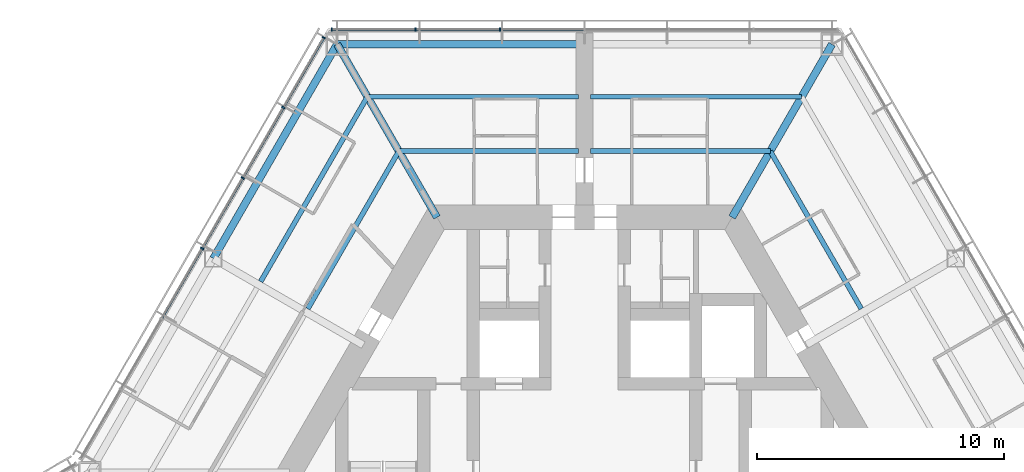
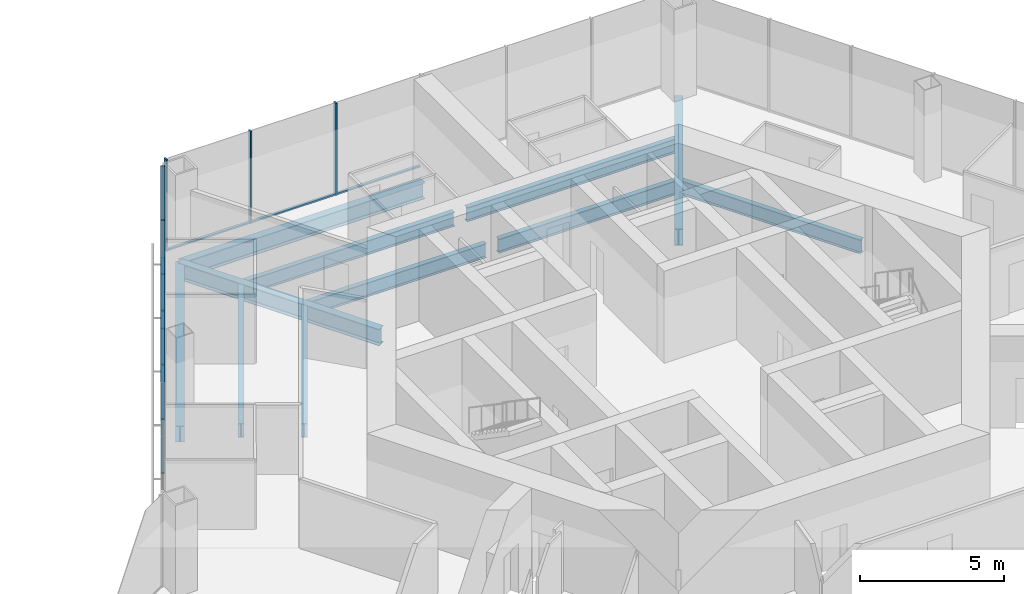
# One storey, part 7 of 18: 14 members, 11 beams, 2 elements without a shape of their own.
"""IFC4 building model written with IfcOpenShell, lengths in metres."""

from ifc_helpers import new_model, si_unit, direction, frame, origin, origin_2d, place, context, subcontext, project, spatial, rectangle, i_section, extrude, material, material_profile, profile_set, type_object, element, aggregate, save


model = new_model("IFC4")

# Units and contexts
model_context = context("Model", 3, precision=1e-05, world=origin(), true_north=direction((0.0, 1.0)))
body_context = subcontext(model_context, "Body", "Model", "MODEL_VIEW")
ifc_project = project(units=[si_unit("LENGTHUNIT", "METRE"), si_unit("AREAUNIT", "SQUARE_METRE"), si_unit("VOLUMEUNIT", "CUBIC_METRE"), si_unit("PLANEANGLEUNIT", "RADIAN"), si_unit("MASSUNIT", "GRAM", prefix="KILO")], contexts=[model_context])

# Site, building, storey
site_placement = place(None, origin())
site = spatial("IfcSite", under=ifc_project, at=site_placement, CompositionType="ELEMENT")
building_placement = place(site_placement, origin())
building = spatial("IfcBuilding", under=site, at=building_placement, Name="Kasaneha Research Tower", CompositionType="ELEMENT")
storey_placement = place(building_placement, frame((0.0, 0.0, 133.10009765625)))
storey = spatial("IfcBuildingStorey", under=building, at=storey_placement, Name="L33", CompositionType="ELEMENT", Elevation=133.10009765625)

# Beams
ifc_material_1 = material(Name="Steel SN490B", Category="steel")
ifc_material_profile_1 = material_profile(ifc_material_1, i_section(OverallWidth=0.199951171875, OverallDepth=0.60009765625, WebThickness=0.010986328125, FlangeThickness=0.01708984375, FilletRadius=0.012939453125, at=origin_2d()), Name="H-600x200x11x17")
ifc_profile_set_1 = profile_set([ifc_material_profile_1], Name="Steel SN490B")
beam_type_1 = type_object("IfcBeamType", Name="B1-3 secondary beam H-600x200x11x17", PredefinedType="JOIST", material=ifc_profile_set_1)
beam_1_placement = place(storey_placement, frame((7.505615234375, 13.0, -0.4501953125), z_axis=(0.499994443168, -0.866028611999, 0.0), x_axis=(0.866028611999, 0.499994443168, 0.0)))
element("IfcBeam", 1, at=beam_1_placement, inside=storey, type_object=beam_type_1, Name="Secondary beam RS030R1 L33", PredefinedType="JOIST", context=body_context, shape_type="SweptSolid", body=[
    extrude(i_section(OverallWidth=0.199951171875, OverallDepth=0.60009765625, WebThickness=0.010986328125, FlangeThickness=0.01708984375, FilletRadius=0.012939453125, at=origin_2d()), origin(), (0.0, 0.0, 1.0), 7.35546875),
])
beam_2_placement = place(storey_placement, frame((7.505615234375, 13.0, -0.4501953125), z_axis=(-1.0, 0.0, 0.0), x_axis=(0.0, -1.0, 0.0)))
element("IfcBeam", 2, at=beam_2_placement, inside=storey, type_object=beam_type_1, Name="Secondary beam RS090L1 L33", PredefinedType="JOIST", context=body_context, shape_type="SweptSolid", body=[
    extrude(i_section(OverallWidth=0.199951171875, OverallDepth=0.60009765625, WebThickness=0.010986328125, FlangeThickness=0.01708984375, FilletRadius=0.012939453125, at=origin_2d()), origin(), (0.0, 0.0, 1.0), 7.255615234375),
])
beam_3_placement = place(storey_placement, frame((8.775634765625, 15.199951171875, -0.4501953125), z_axis=(-1.0, 0.0, 0.0), x_axis=(0.0, -1.0, 0.0)))
element("IfcBeam", 3, at=beam_3_placement, inside=storey, type_object=beam_type_1, Name="Secondary beam RS090L2 L33", PredefinedType="JOIST", context=body_context, shape_type="SweptSolid", body=[
    extrude(i_section(OverallWidth=0.199951171875, OverallDepth=0.60009765625, WebThickness=0.010986328125, FlangeThickness=0.01708984375, FilletRadius=0.012939453125, at=origin_2d()), origin(), (0.0, 0.0, 1.0), 8.525634765625),
])
beam_4_placement = place(storey_placement, frame((-7.505615234375, 13.0, -0.4501953125), z_axis=(1.0, 0.0, 0.0), x_axis=(0.0, 1.0, 0.0)))
element("IfcBeam", 4, at=beam_4_placement, inside=storey, type_object=beam_type_1, Name="Secondary beam RS090R1 L33", PredefinedType="JOIST", context=body_context, shape_type="SweptSolid", body=[
    extrude(i_section(OverallWidth=0.199951171875, OverallDepth=0.60009765625, WebThickness=0.010986328125, FlangeThickness=0.01708984375, FilletRadius=0.012939453125, at=origin_2d()), origin(), (0.0, 0.0, 1.0), 7.255615234375),
])
beam_5_placement = place(storey_placement, frame((-8.775634765625, 15.199951171875, -0.4501953125), z_axis=(1.0, 0.0, 0.0), x_axis=(0.0, 1.0, 0.0)))
element("IfcBeam", 5, at=beam_5_placement, inside=storey, type_object=beam_type_1, Name="Secondary beam RS090R2 L33", PredefinedType="JOIST", context=body_context, shape_type="SweptSolid", body=[
    extrude(i_section(OverallWidth=0.199951171875, OverallDepth=0.60009765625, WebThickness=0.010986328125, FlangeThickness=0.01708984375, FilletRadius=0.012939453125, at=origin_2d()), origin(), (0.0, 0.0, 1.0), 8.525634765625),
])
beam_6_placement = place(storey_placement, frame((-7.505615234375, 13.0, -0.4501953125), z_axis=(-0.499994443168, -0.866028611999, 0.0), x_axis=(0.866028611999, -0.499994443168, 0.0)))
element("IfcBeam", 6, at=beam_6_placement, inside=storey, type_object=beam_type_1, Name="Secondary beam RS150L1 L33", PredefinedType="JOIST", context=body_context, shape_type="SweptSolid", body=[
    extrude(i_section(OverallWidth=0.199951171875, OverallDepth=0.60009765625, WebThickness=0.010986328125, FlangeThickness=0.01708984375, FilletRadius=0.012939453125, at=origin_2d()), origin(), (0.0, 0.0, 1.0), 7.35546875),
])
beam_7_placement = place(storey_placement, frame((-8.775634765625, 15.199951171875, -0.4501953125), z_axis=(-0.500017275495, -0.866015429543, 0.0), x_axis=(0.866015429543, -0.500017275495, 0.0)))
element("IfcBeam", 7, at=beam_7_placement, inside=storey, type_object=beam_type_1, Name="Secondary beam RS150L2 L33", PredefinedType="JOIST", context=body_context, shape_type="SweptSolid", body=[
    extrude(i_section(OverallWidth=0.199951171875, OverallDepth=0.60009765625, WebThickness=0.010986328125, FlangeThickness=0.01708984375, FilletRadius=0.012939453125, at=origin_2d()), origin(), (0.0, 0.0, 1.0), 8.625732421875),
])

# Curtain wall, members
ifc_material_2 = material(Name="Glass and aluminium", Category="aluminium")
curtain_wall_type = type_object("IfcCurtainWallType", Name="Mid-rise office curtain wall", PredefinedType="USERDEFINED", material=ifc_material_2)
curtain_wall_1_placement = place(storey_placement, origin())
curtain_wall_1 = element("IfcCurtainWall", 8, at=curtain_wall_1_placement, inside=storey, type_object=curtain_wall_type, Name="CW-O2 L33 run 07a", ObjectType="UNITISED CURTAIN WALL", PredefinedType="USERDEFINED")
ifc_material_3 = material(Name="Aluminium 6063-T6", Category="aluminium")
ifc_material_profile_2 = material_profile(ifc_material_3, rectangle(XDim=0.06005859375, YDim=0.14990234375, at=origin_2d()), Name="CW-O2 mullion 60x150")
ifc_profile_set_2 = profile_set([ifc_material_profile_2], Name="Aluminium 6063-T6")
member_type_1 = type_object("IfcMemberType", Name="CW-O2 mullion", PredefinedType="MULLION", material=ifc_profile_set_2)
member_1_placement = place(storey_placement, frame((-3.41552734375, 17.92041015625, 0.0), z_axis=(0.0, 0.0, 1.0), x_axis=(-1.0, 0.0, 0.0)))
member_1 = element("IfcMember", 9, at=member_1_placement, type_object=member_type_1, Name="CW-O2 mullion 5", PredefinedType="MULLION", context=body_context, shape_type="SweptSolid", body=[
    extrude(rectangle(XDim=0.06005859375, YDim=0.14990234375, at=origin_2d()), origin(), (0.0, 0.0, 1.0), 3.89990234375),
])
member_2_placement = place(storey_placement, frame((-6.8310546875, 17.92041015625, 0.0), z_axis=(0.0, 0.0, 1.0), x_axis=(-1.0, 0.0, 0.0)))
member_2 = element("IfcMember", 10, at=member_2_placement, type_object=member_type_1, Name="CW-O2 mullion 6", PredefinedType="MULLION", context=body_context, shape_type="SweptSolid", body=[
    extrude(rectangle(XDim=0.06005859375, YDim=0.14990234375, at=origin_2d()), origin(), (0.0, 0.0, 1.0), 3.89990234375),
])
member_3_placement = place(storey_placement, frame((-10.21630859375, 17.92041015625, 0.0), z_axis=(0.0, 0.0, 1.0), x_axis=(-1.0, 0.0, 0.0)))
member_3 = element("IfcMember", 11, at=member_3_placement, type_object=member_type_1, Name="CW-O2 mullion 7", PredefinedType="MULLION", context=body_context, shape_type="SweptSolid", body=[
    extrude(rectangle(XDim=0.06005859375, YDim=0.14990234375, at=origin_2d()), origin(), (0.0, 0.0, 1.0), 3.89990234375),
])

curtain_wall_2_placement = place(storey_placement, origin())
curtain_wall_2 = element("IfcCurtainWall", 12, at=curtain_wall_2_placement, inside=storey, type_object=curtain_wall_type, Name="CW-O2 L33 run 08a", ObjectType="UNITISED CURTAIN WALL", PredefinedType="USERDEFINED")
member_4_placement = place(storey_placement, frame((-10.5400390625, 17.585205078125, 0.0), z_axis=(0.0, 0.0, 1.0), x_axis=(-0.499999979232, -0.866025415775, 0.0)))
member_4 = element("IfcMember", 13, at=member_4_placement, type_object=member_type_1, Name="CW-O2 mullion 1", PredefinedType="MULLION", context=body_context, shape_type="SweptSolid", body=[
    extrude(rectangle(XDim=0.06005859375, YDim=0.14990234375, at=origin_2d()), origin(), (0.0, 0.0, 1.0), 3.89990234375),
])
member_5_placement = place(storey_placement, frame((-12.1689453125, 14.763671875, 0.0), z_axis=(0.0, 0.0, 1.0), x_axis=(-0.499999979232, -0.866025415775, 0.0)))
member_5 = element("IfcMember", 14, at=member_5_placement, type_object=member_type_1, Name="CW-O2 mullion 2", PredefinedType="MULLION", context=body_context, shape_type="SweptSolid", body=[
    extrude(rectangle(XDim=0.06005859375, YDim=0.14990234375, at=origin_2d()), origin(), (0.0, 0.0, 1.0), 3.89990234375),
])
member_6_placement = place(storey_placement, frame((-13.81298828125, 11.916015625, 0.0), z_axis=(0.0, 0.0, 1.0), x_axis=(-0.499999979232, -0.866025415775, 0.0)))
member_6 = element("IfcMember", 15, at=member_6_placement, type_object=member_type_1, Name="CW-O2 mullion 3", PredefinedType="MULLION", context=body_context, shape_type="SweptSolid", body=[
    extrude(rectangle(XDim=0.06005859375, YDim=0.14990234375, at=origin_2d()), origin(), (0.0, 0.0, 1.0), 3.89990234375),
])
member_7_placement = place(storey_placement, frame((-15.45703125, 9.068603515625, 0.0), z_axis=(0.0, 0.0, 1.0), x_axis=(-0.499999979232, -0.866025415775, 0.0)))
member_7 = element("IfcMember", 16, at=member_7_placement, type_object=member_type_1, Name="CW-O2 mullion 4", PredefinedType="MULLION", context=body_context, shape_type="SweptSolid", body=[
    extrude(rectangle(XDim=0.06005859375, YDim=0.14990234375, at=origin_2d()), origin(), (0.0, 0.0, 1.0), 3.89990234375),
])

# Member
ifc_material_4 = material(Name="Aluminium 6063-T6", Category="aluminium")
ifc_material_profile_3 = material_profile(ifc_material_4, rectangle(XDim=0.110107421875, YDim=0.06005859375, at=origin_2d()), Name="CW-O2 transom 110x60")
ifc_profile_set_3 = profile_set([ifc_material_profile_3], Name="Aluminium 6063-T6")
member_type_2 = type_object("IfcMemberType", Name="CW-O2 transom", PredefinedType="USERDEFINED", material=ifc_profile_set_3)
member_8_placement = place(storey_placement, frame((-0.030029296875, 17.92041015625, 0.02978515625), z_axis=(-1.0, 0.0, 0.0), x_axis=(0.0, -1.0, 0.0)))
member_8 = element("IfcMember", 17, at=member_8_placement, type_object=member_type_2, Name="CW-O2 transom 4", ObjectType="TRANSOM", PredefinedType="USERDEFINED", context=body_context, shape_type="SweptSolid", body=[
    extrude(rectangle(XDim=0.110107421875, YDim=0.06005859375, at=origin_2d()), origin(), (0.0, 0.0, 1.0), 3.35546875),
])

member_9_placement = place(storey_placement, frame((-3.445556640625, 17.92041015625, 0.02978515625), z_axis=(-1.0, 0.0, 0.0), x_axis=(0.0, -1.0, 0.0)))
member_9 = element("IfcMember", 18, at=member_9_placement, type_object=member_type_2, Name="CW-O2 transom 5", ObjectType="TRANSOM", PredefinedType="USERDEFINED", context=body_context, shape_type="SweptSolid", body=[
    extrude(rectangle(XDim=0.110107421875, YDim=0.06005859375, at=origin_2d()), origin(), (0.0, 0.0, 1.0), 3.35546875),
])

member_10_placement = place(storey_placement, frame((-6.86083984375, 17.92041015625, 0.02978515625), z_axis=(-1.0, 0.0, 0.0), x_axis=(0.0, -1.0, 0.0)))
member_10 = element("IfcMember", 19, at=member_10_placement, type_object=member_type_2, Name="CW-O2 transom 6", ObjectType="TRANSOM", PredefinedType="USERDEFINED", context=body_context, shape_type="SweptSolid", body=[
    extrude(rectangle(XDim=0.110107421875, YDim=0.06005859375, at=origin_2d()), origin(), (0.0, 0.0, 1.0), 3.32568359375),
])

aggregate(curtain_wall_1, [member_1, member_2, member_3, member_8, member_9, member_10])

member_11_placement = place(storey_placement, frame((-10.554931640625, 17.559326171875, 0.02978515625), z_axis=(-0.500030834389, -0.86600760081, 0.0), x_axis=(0.86600760081, -0.500030834389, 0.0)))
member_11 = element("IfcMember", 20, at=member_11_placement, type_object=member_type_2, Name="CW-O2 transom 1", ObjectType="TRANSOM", PredefinedType="USERDEFINED", context=body_context, shape_type="SweptSolid", body=[
    extrude(rectangle(XDim=0.110107421875, YDim=0.06005859375, at=origin_2d()), origin(), (0.0, 0.0, 1.0), 3.197998046875),
])

member_12_placement = place(storey_placement, frame((-12.18408203125, 14.73779296875, 0.02978515625), z_axis=(-0.499986503906, -0.866033195618, 0.0), x_axis=(0.866033195618, -0.499986503906, 0.0)))
member_12 = element("IfcMember", 21, at=member_12_placement, type_object=member_type_2, Name="CW-O2 transom 2", ObjectType="TRANSOM", PredefinedType="USERDEFINED", context=body_context, shape_type="SweptSolid", body=[
    extrude(rectangle(XDim=0.110107421875, YDim=0.06005859375, at=origin_2d()), origin(), (0.0, 0.0, 1.0), 3.22802734375),
])

member_13_placement = place(storey_placement, frame((-13.828125, 11.89013671875, 0.02978515625), z_axis=(-0.499986503906, -0.866033195618, 0.0), x_axis=(0.866033195618, -0.499986503906, 0.0)))
member_13 = element("IfcMember", 22, at=member_13_placement, type_object=member_type_2, Name="CW-O2 transom 3", ObjectType="TRANSOM", PredefinedType="USERDEFINED", context=body_context, shape_type="SweptSolid", body=[
    extrude(rectangle(XDim=0.110107421875, YDim=0.06005859375, at=origin_2d()), origin(), (0.0, 0.0, 1.0), 3.22802734375),
])

member_14_placement = place(storey_placement, frame((-15.47216796875, 9.04248046875, 0.02978515625), z_axis=(-0.500019253631, -0.86601428741, 0.0), x_axis=(0.86601428741, -0.500019253631, 0.0)))
member_14 = element("IfcMember", 23, at=member_14_placement, type_object=member_type_2, Name="CW-O2 transom 4", ObjectType="TRANSOM", PredefinedType="USERDEFINED", context=body_context, shape_type="SweptSolid", body=[
    extrude(rectangle(XDim=0.110107421875, YDim=0.06005859375, at=origin_2d()), origin(), (0.0, 0.0, 1.0), 3.227783203125),
])

aggregate(curtain_wall_2, [member_4, member_5, member_6, member_7, member_11, member_12, member_13, member_14])

# Beams
ifc_material_5 = material(Name="Steel SN490B", Category="steel")
ifc_material_profile_4 = material_profile(ifc_material_5, i_section(OverallWidth=0.300048828125, OverallDepth=0.699951171875, WebThickness=0.012939453125, FlangeThickness=0.02392578125, FilletRadius=0.01806640625, at=origin_2d()), Name="H-700x300x13x24")
ifc_profile_set_4 = profile_set([ifc_material_profile_4], Name="Steel SN490B")
beam_type_2 = type_object("IfcBeamType", Name="G1-3 radial girder H-700x300x13x24", PredefinedType="BEAM", material=ifc_profile_set_4)
for number, where, z_axis, x_axis, name in (
    (24, (5.961181640625, 10.324951171875, -0.5), (0.49999105496, 0.866030568144, 0.0), (-0.866030568144, 0.49999105496, 0.0), "Radial girder RV060 L33"),
    (25, (-5.961181640625, 10.324951171875, -0.5), (-0.49999105496, 0.866030568144, 0.0), (-0.866030568144, -0.49999105496, 0.0), "Radial girder RV120 L33"),
):
    element("IfcBeam", number, at=place(storey_placement, frame(where, z_axis=z_axis, x_axis=x_axis)), inside=storey, type_object=beam_type_2, Name=name, PredefinedType="BEAM", context=body_context, shape_type="SweptSolid", body=[
        extrude(i_section(OverallWidth=0.300048828125, OverallDepth=0.699951171875, WebThickness=0.012939453125, FlangeThickness=0.02392578125, FilletRadius=0.01806640625, at=origin_2d()), origin(), (0.0, 0.0, 1.0), 8.077880859375),
    ])
ifc_material_6 = material(Name="Steel SN490B", Category="steel")
ifc_material_profile_5 = material_profile(ifc_material_6, i_section(OverallWidth=0.300048828125, OverallDepth=0.69189453125, WebThickness=0.012939453125, FlangeThickness=0.02001953125, FilletRadius=0.01806640625, at=origin_2d()), Name="H-692x300x13x20")
ifc_profile_set_5 = profile_set([ifc_material_profile_5], Name="Steel SN490B")
beam_type_3 = type_object("IfcBeamType", Name="G3-3 plate edge girder H-692x300x13x20", PredefinedType="BEAM", material=ifc_profile_set_5)
beam_8_placement = place(storey_placement, frame((-10.0, 17.320556640625, -0.49609375), z_axis=(1.0, 0.0, 0.0), x_axis=(0.0, 1.0, 0.0)))
element("IfcBeam", 26, at=beam_8_placement, inside=storey, type_object=beam_type_3, Name="Plate edge girder PEAN L33", PredefinedType="BEAM", context=body_context, shape_type="SweptSolid", body=[
    extrude(i_section(OverallWidth=0.300048828125, OverallDepth=0.69189453125, WebThickness=0.012939453125, FlangeThickness=0.02001953125, FilletRadius=0.01806640625, at=origin_2d()), origin(), (0.0, 0.0, 1.0), 9.75),
])
ifc_material_7 = material(Name="Steel SN490B", Category="steel")
ifc_material_profile_6 = material_profile(ifc_material_7, i_section(OverallWidth=0.300048828125, OverallDepth=0.69189453125, WebThickness=0.012939453125, FlangeThickness=0.02001953125, FilletRadius=0.01806640625, at=origin_2d()), Name="H-692x300x13x20")
ifc_profile_set_6 = profile_set([ifc_material_profile_6], Name="Steel SN490B")
beam_type_4 = type_object("IfcBeamType", Name="SB1-3 spandrel beam H-692x300x13x20", PredefinedType="SPANDREL", material=ifc_profile_set_6)
beam_9_placement = place(storey_placement, frame((-10.0, 17.320556640625, -0.49609375), z_axis=(-0.499993662806, -0.866029062534, 0.0), x_axis=(0.866029062534, -0.499993662806, 0.0)))
element("IfcBeam", 27, at=beam_9_placement, inside=storey, type_object=beam_type_4, Name="Spandrel beam SR150L L33", PredefinedType="SPANDREL", context=body_context, shape_type="SweptSolid", body=[
    extrude(i_section(OverallWidth=0.300048828125, OverallDepth=0.69189453125, WebThickness=0.012939453125, FlangeThickness=0.02001953125, FilletRadius=0.01806640625, at=origin_2d()), origin(), (0.0, 0.0, 1.0), 10.000244140625),
])

save(model, "model.ifc")
